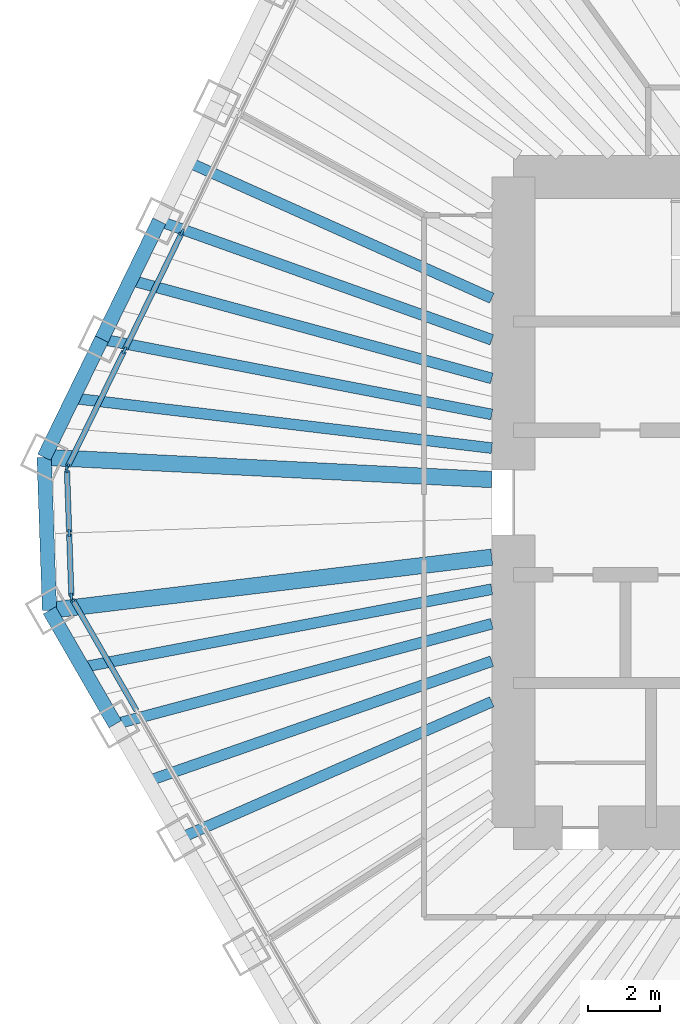
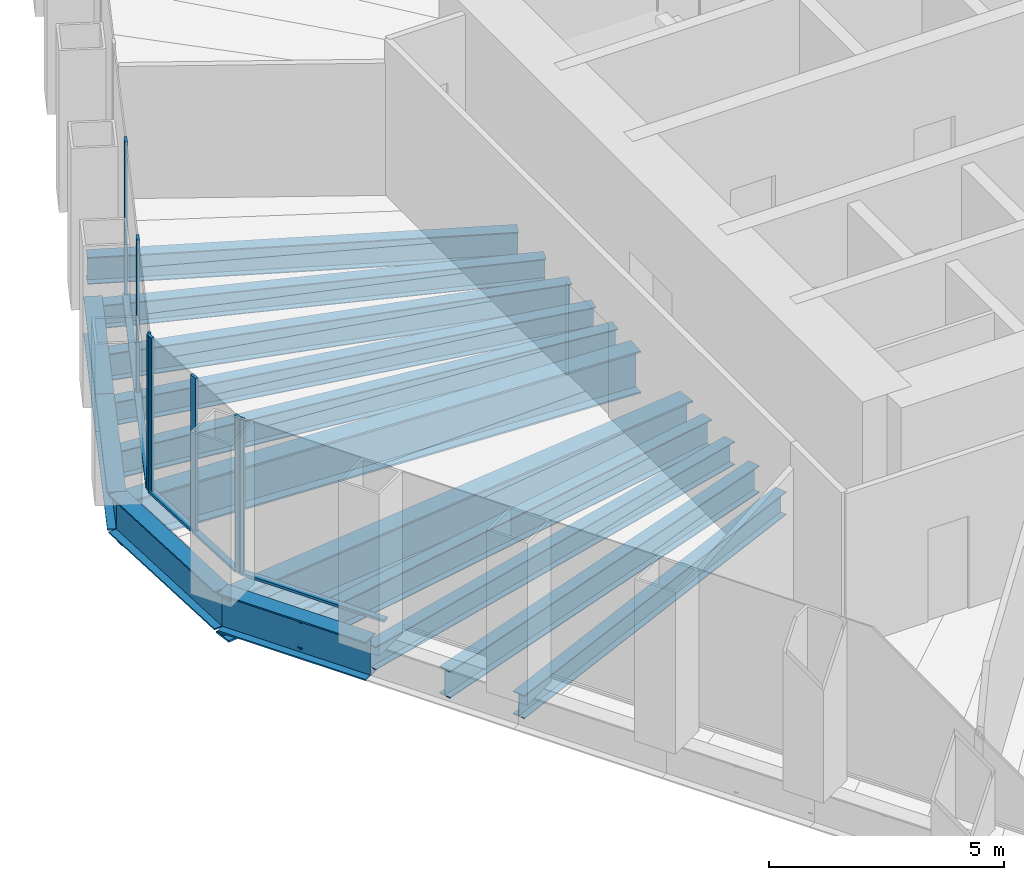
# One storey, part 3 of 13: 15 beams, 12 members, 3 elements without a shape of their own.
"""IFC4 building model written with IfcOpenShell, lengths in metres."""

from ifc_helpers import new_model, si_unit, direction, frame, origin, origin_2d, place, context, subcontext, project, spatial, rectangle, i_section, extrude, material, material_profile, profile_set, type_object, element, aggregate, save


model = new_model("IFC4")

# Units and contexts
model_context = context("Model", 3, precision=1e-05, world=origin(), true_north=direction((0.0, 1.0)))
body_context = subcontext(model_context, "Body", "Model", "MODEL_VIEW")
ifc_project = project(units=[si_unit("LENGTHUNIT", "METRE"), si_unit("AREAUNIT", "SQUARE_METRE"), si_unit("VOLUMEUNIT", "CUBIC_METRE"), si_unit("PLANEANGLEUNIT", "RADIAN"), si_unit("MASSUNIT", "GRAM", prefix="KILO")], contexts=[model_context])

# Site, building, storey
site_placement = place(None, origin())
site = spatial("IfcSite", under=ifc_project, at=site_placement, CompositionType="ELEMENT")
building_placement = place(site_placement, origin())
building = spatial("IfcBuilding", under=site, at=building_placement, Name="Qingtian Harvest Tower", CompositionType="ELEMENT")
storey_placement = place(building_placement, frame((0.0, 0.0, 230.800048828125)))
storey = spatial("IfcBuildingStorey", under=building, at=storey_placement, Name="L50", CompositionType="ELEMENT", Elevation=230.800048828125)

# Beams
ifc_material_1 = material(Name="Steel SM570MC", Category="steel")
ifc_material_profile_1 = material_profile(ifc_material_1, i_section(OverallWidth=0.449951171875, OverallDepth=1.10009765625, WebThickness=0.02197265625, FlangeThickness=0.044921875, at=origin_2d()), Name="H1100x450x22x45")
ifc_profile_set_1 = profile_set([ifc_material_profile_1], Name="Steel SM570MC")
beam_type_1 = type_object("IfcBeamType", Name="Corner floor beam FB8 H1100x450x22x45", PredefinedType="BEAM", material=ifc_profile_set_1)
beam_1_placement = place(storey_placement, frame((-24.833251953125, -2.987548828125, -0.719970703125), z_axis=(0.992841259631, 0.119441337798, 0.0), x_axis=(-0.119441337798, 0.992841259631, 0.0)))
element("IfcBeam", 1, at=beam_1_placement, inside=storey, type_object=beam_type_1, Name="Floor beam FB8 SW6", PredefinedType="BEAM", context=body_context, shape_type="SweptSolid", body=[
    extrude(i_section(OverallWidth=0.449951171875, OverallDepth=1.10009765625, WebThickness=0.02197265625, FlangeThickness=0.044921875, at=origin_2d()), origin(), (0.0, 0.0, 1.0), 12.3212890625),
])
beam_2_placement = place(storey_placement, frame((-24.981201171875, 1.248046875, -0.719970703125), z_axis=(0.998753959075, -0.049905202459, 0.0), x_axis=(0.049905202459, 0.998753959075, 0.0)))
element("IfcBeam", 2, at=beam_2_placement, inside=storey, type_object=beam_type_1, Name="Floor beam FB8 NW0", PredefinedType="BEAM", context=body_context, shape_type="SweptSolid", body=[
    extrude(i_section(OverallWidth=0.449951171875, OverallDepth=1.10009765625, WebThickness=0.02197265625, FlangeThickness=0.044921875, at=origin_2d()), origin(), (0.0, 0.0, 1.0), 12.396484375),
])
ifc_material_2 = material(Name="Steel SN490B", Category="steel")
ifc_material_profile_2 = material_profile(ifc_material_2, i_section(OverallWidth=0.300048828125, OverallDepth=0.60009765625, WebThickness=0.011962890625, FlangeThickness=0.02001953125, at=origin_2d()), Name="H600x300x12x20")
ifc_profile_set_2 = profile_set([ifc_material_profile_2], Name="Steel SN490B")
beam_type_2 = type_object("IfcBeamType", Name="Floor beam FB3 H600x300x12x20", PredefinedType="BEAM", material=ifc_profile_set_2)
beam_3_placement = place(storey_placement, frame((-21.19970703125, -9.281005859375, -0.469970703125), z_axis=(0.916057031544, 0.401048020765, 0.0), x_axis=(-0.401048020765, 0.916057031544, 0.0)))
element("IfcBeam", 3, at=beam_3_placement, inside=storey, type_object=beam_type_2, Name="Floor beam FB3 SW4", PredefinedType="BEAM", context=body_context, shape_type="SweptSolid", body=[
    extrude(i_section(OverallWidth=0.300048828125, OverallDepth=0.60009765625, WebThickness=0.011962890625, FlangeThickness=0.02001953125, at=origin_2d()), origin(), (0.0, 0.0, 1.0), 9.3876953125),
])
beam_4_placement = place(storey_placement, frame((-23.016357421875, -6.13427734375, -0.469970703125), z_axis=(0.966270640629, 0.257528734433, 0.0), x_axis=(-0.257528734433, 0.966270640629, 0.0)))
element("IfcBeam", 4, at=beam_4_placement, inside=storey, type_object=beam_type_2, Name="Floor beam FB3 SW5", PredefinedType="BEAM", context=body_context, shape_type="SweptSolid", body=[
    extrude(i_section(OverallWidth=0.300048828125, OverallDepth=0.60009765625, WebThickness=0.011962890625, FlangeThickness=0.02001953125, at=origin_2d()), origin(), (0.0, 0.0, 1.0), 10.77978515625),
])
beam_5_placement = place(storey_placement, frame((-23.388427734375, 4.513916015625, -0.469970703125), z_axis=(0.981878004162, -0.189514075845, 0.0), x_axis=(0.189514075845, 0.981878004162, 0.0)))
element("IfcBeam", 5, at=beam_5_placement, inside=storey, type_object=beam_type_2, Name="Floor beam FB3 NW1", PredefinedType="BEAM", context=body_context, shape_type="SweptSolid", body=[
    extrude(i_section(OverallWidth=0.300048828125, OverallDepth=0.60009765625, WebThickness=0.011962890625, FlangeThickness=0.02001953125, at=origin_2d()), origin(), (0.0, 0.0, 1.0), 10.987548828125),
])
beam_6_placement = place(storey_placement, frame((-21.79541015625, 7.779541015625, -0.469970703125), z_axis=(0.941800733255, -0.336171650857, 0.0), x_axis=(0.336171650857, 0.941800733255, 0.0)))
element("IfcBeam", 6, at=beam_6_placement, inside=storey, type_object=beam_type_2, Name="Floor beam FB3 NW2", PredefinedType="BEAM", context=body_context, shape_type="SweptSolid", body=[
    extrude(i_section(OverallWidth=0.300048828125, OverallDepth=0.60009765625, WebThickness=0.011962890625, FlangeThickness=0.02001953125, at=origin_2d()), origin(), (0.0, 0.0, 1.0), 9.763427734375),
])
ifc_material_3 = material(Name="Steel SN490B", Category="steel")
ifc_material_profile_3 = material_profile(ifc_material_3, i_section(OverallWidth=0.300048828125, OverallDepth=0.699951171875, WebThickness=0.012939453125, FlangeThickness=0.02392578125, at=origin_2d()), Name="H700x300x13x24")
ifc_profile_set_3 = profile_set([ifc_material_profile_3], Name="Steel SN490B")
beam_type_3 = type_object("IfcBeamType", Name="Floor joist J2 H700x300x13x24", PredefinedType="JOIST", material=ifc_profile_set_3)
beam_7_placement = place(storey_placement, frame((-22.108154296875, -7.707763671875, -0.52001953125), z_axis=(0.944256456951, 0.329210788868, 0.0), x_axis=(-0.329210788868, 0.944256456951, 0.0)))
element("IfcBeam", 7, at=beam_7_placement, inside=storey, type_object=beam_type_3, Name="Floor joist J2 SW4", PredefinedType="JOIST", context=body_context, shape_type="SweptSolid", body=[
    extrude(i_section(OverallWidth=0.300048828125, OverallDepth=0.699951171875, WebThickness=0.012939453125, FlangeThickness=0.02392578125, at=origin_2d()), origin(), (0.0, 0.0, 1.0), 10.0693359375),
])
beam_8_placement = place(storey_placement, frame((-23.9248046875, -4.56103515625, -0.52001953125), z_axis=(0.982309082743, 0.187266830912, 0.0), x_axis=(-0.187266830912, 0.982309082743, 0.0)))
element("IfcBeam", 8, at=beam_8_placement, inside=storey, type_object=beam_type_3, Name="Floor joist J2 SW5", PredefinedType="JOIST", context=body_context, shape_type="SweptSolid", body=[
    extrude(i_section(OverallWidth=0.300048828125, OverallDepth=0.699951171875, WebThickness=0.012939453125, FlangeThickness=0.02392578125, at=origin_2d()), origin(), (0.0, 0.0, 1.0), 11.528564453125),
])
beam_9_placement = place(storey_placement, frame((-24.184814453125, 2.880859375, -0.52001953125), z_axis=(0.992980727423, -0.11827626544, 0.0), x_axis=(0.11827626544, 0.992980727423, 0.0)))
element("IfcBeam", 9, at=beam_9_placement, inside=storey, type_object=beam_type_3, Name="Floor joist J2 NW0", PredefinedType="JOIST", context=body_context, shape_type="SweptSolid", body=[
    extrude(i_section(OverallWidth=0.300048828125, OverallDepth=0.699951171875, WebThickness=0.012939453125, FlangeThickness=0.02392578125, at=origin_2d()), origin(), (0.0, 0.0, 1.0), 11.66650390625),
])
beam_10_placement = place(storey_placement, frame((-22.591796875, 6.146728515625, -0.52001953125), z_axis=(0.964923062728, -0.26253282274, 0.0), x_axis=(0.26253282274, 0.964923062728, 0.0)))
element("IfcBeam", 10, at=beam_10_placement, inside=storey, type_object=beam_type_3, Name="Floor joist J2 NW1", PredefinedType="JOIST", context=body_context, shape_type="SweptSolid", body=[
    extrude(i_section(OverallWidth=0.300048828125, OverallDepth=0.699951171875, WebThickness=0.012939453125, FlangeThickness=0.02392578125, at=origin_2d()), origin(), (0.0, 0.0, 1.0), 10.35498046875),
])
beam_11_placement = place(storey_placement, frame((-20.9990234375, 9.41259765625, -0.52001953125), z_axis=(0.912515128421, -0.409042956671, 0.0), x_axis=(0.409042956671, 0.912515128421, 0.0)))
element("IfcBeam", 11, at=beam_11_placement, inside=storey, type_object=beam_type_3, Name="Floor joist J2 NW2", PredefinedType="JOIST", context=body_context, shape_type="SweptSolid", body=[
    extrude(i_section(OverallWidth=0.300048828125, OverallDepth=0.699951171875, WebThickness=0.012939453125, FlangeThickness=0.02392578125, at=origin_2d()), origin(), (0.0, 0.0, 1.0), 9.2041015625),
])

# Curtain wall, member
ifc_material_4 = material(Name="Bronze-anodised aluminium curtain wall", Category="aluminium")
curtain_wall_type = type_object("IfcCurtainWallType", Name="Curtain wall CW4 office", PredefinedType="USERDEFINED", material=ifc_material_4)
curtain_wall_1_placement = place(storey_placement, origin())
curtain_wall_1 = element("IfcCurtainWall", 12, at=curtain_wall_1_placement, inside=storey, type_object=curtain_wall_type, Name="Curtain wall CW4 L50 SW0-5", ObjectType="RECESSED CURTAIN WALL", PredefinedType="USERDEFINED")
ifc_material_5 = material(Name="Bronze-anodised aluminium mullion", Category="aluminium")
ifc_material_profile_4 = material_profile(ifc_material_5, rectangle(XDim=0.06494140625, YDim=0.199951171875, at=origin_2d()), Name="AL 65x200")
ifc_profile_set_4 = profile_set([ifc_material_profile_4], Name="Bronze-anodised aluminium mullion")
member_type_1 = type_object("IfcMemberType", Name="Mullion CWM 65x200", PredefinedType="MULLION", material=ifc_profile_set_4)
member_1_placement = place(storey_placement, frame((-24.210693359375, -2.665771484375, 0.0), z_axis=(0.0, 0.0, 1.0), x_axis=(-0.866025403784, -0.5, 0.0)))
member_1 = element("IfcMember", 13, at=member_1_placement, type_object=member_type_1, Name="CW4 mullion 7", PredefinedType="MULLION", context=body_context, shape_type="SweptSolid", body=[
    extrude(rectangle(XDim=0.06494140625, YDim=0.199951171875, at=origin_2d()), origin(), (0.0, 0.0, 1.0), 4.030029296875),
])

# Curtain wall, members
curtain_wall_2_placement = place(storey_placement, origin())
curtain_wall_2 = element("IfcCurtainWall", 14, at=curtain_wall_2_placement, inside=storey, type_object=curtain_wall_type, Name="Curtain wall CW4 L50 SWC", ObjectType="RECESSED CURTAIN WALL", PredefinedType="USERDEFINED")
member_2_placement = place(storey_placement, frame((-24.228271484375, -2.60498046875, 0.0), z_axis=(0.0, 0.0, 1.0), x_axis=(-0.999390827019, -0.034899496703, 0.0)))
member_2 = element("IfcMember", 15, at=member_2_placement, type_object=member_type_1, Name="CW4 mullion 1", PredefinedType="MULLION", context=body_context, shape_type="SweptSolid", body=[
    extrude(rectangle(XDim=0.06494140625, YDim=0.199951171875, at=origin_2d()), origin(), (0.0, 0.0, 1.0), 4.030029296875),
])
member_3_placement = place(storey_placement, frame((-24.28955078125, -0.84814453125, 0.0), z_axis=(0.0, 0.0, 1.0), x_axis=(-0.999390827019, -0.034899496703, 0.0)))
member_3 = element("IfcMember", 16, at=member_3_placement, type_object=member_type_1, Name="CW4 mullion 2", PredefinedType="MULLION", context=body_context, shape_type="SweptSolid", body=[
    extrude(rectangle(XDim=0.06494140625, YDim=0.199951171875, at=origin_2d()), origin(), (0.0, 0.0, 1.0), 4.030029296875),
])
member_4_placement = place(storey_placement, frame((-24.350830078125, 0.90869140625, 0.0), z_axis=(0.0, 0.0, 1.0), x_axis=(-0.999390827019, -0.034899496703, 0.0)))
member_4 = element("IfcMember", 17, at=member_4_placement, type_object=member_type_1, Name="CW4 mullion 3", PredefinedType="MULLION", context=body_context, shape_type="SweptSolid", body=[
    extrude(rectangle(XDim=0.06494140625, YDim=0.199951171875, at=origin_2d()), origin(), (0.0, 0.0, 1.0), 4.030029296875),
])

curtain_wall_3_placement = place(storey_placement, origin())
curtain_wall_3 = element("IfcCurtainWall", 18, at=curtain_wall_3_placement, inside=storey, type_object=curtain_wall_type, Name="Curtain wall CW4 L50 NW0-5", ObjectType="RECESSED CURTAIN WALL", PredefinedType="USERDEFINED")
member_5_placement = place(storey_placement, frame((-24.337646484375, 0.970458984375, 0.0), z_axis=(0.0, 0.0, 1.0), x_axis=(-0.898794046299, 0.438371146789, 0.0)))
member_5 = element("IfcMember", 19, at=member_5_placement, type_object=member_type_1, Name="CW4 mullion 1", PredefinedType="MULLION", context=body_context, shape_type="SweptSolid", body=[
    extrude(rectangle(XDim=0.06494140625, YDim=0.199951171875, at=origin_2d()), origin(), (0.0, 0.0, 1.0), 4.030029296875),
])
member_6_placement = place(storey_placement, frame((-22.759033203125, 4.20703125, 0.0), z_axis=(0.0, 0.0, 1.0), x_axis=(-0.898794046299, 0.438371146789, 0.0)))
member_6 = element("IfcMember", 20, at=member_6_placement, type_object=member_type_1, Name="CW4 mullion 2", PredefinedType="MULLION", context=body_context, shape_type="SweptSolid", body=[
    extrude(rectangle(XDim=0.06494140625, YDim=0.199951171875, at=origin_2d()), origin(), (0.0, 0.0, 1.0), 4.030029296875),
])
member_7_placement = place(storey_placement, frame((-21.166259765625, 7.47265625, 0.0), z_axis=(0.0, 0.0, 1.0), x_axis=(-0.898794046299, 0.438371146789, 0.0)))
member_7 = element("IfcMember", 21, at=member_7_placement, type_object=member_type_1, Name="CW4 mullion 3", PredefinedType="MULLION", context=body_context, shape_type="SweptSolid", body=[
    extrude(rectangle(XDim=0.06494140625, YDim=0.199951171875, at=origin_2d()), origin(), (0.0, 0.0, 1.0), 4.030029296875),
])

# Beams
ifc_material_6 = material(Name="Steel SN490B", Category="steel")
ifc_material_profile_5 = material_profile(ifc_material_6, i_section(OverallWidth=0.39990234375, OverallDepth=1.0, WebThickness=0.01904296875, FlangeThickness=0.035888671875, at=origin_2d()), Name="H1000x400x19x36")
ifc_profile_set_5 = profile_set([ifc_material_profile_5], Name="Steel SN490B")
beam_type_4 = type_object("IfcBeamType", Name="Spandrel beam SB3 H1000x400x19x36", PredefinedType="SPANDREL", material=ifc_profile_set_5)
beam_12_placement = place(storey_placement, frame((-23.016357421875, -6.13427734375, -0.5), z_axis=(-0.500026827678, 0.866009914263, 0.0), x_axis=(-0.866009914263, -0.500026827678, 0.0)))
element("IfcBeam", 22, at=beam_12_placement, inside=storey, type_object=beam_type_4, Name="Spandrel SB3 SW5", PredefinedType="SPANDREL", context=body_context, shape_type="SweptSolid", body=[
    extrude(i_section(OverallWidth=0.39990234375, OverallDepth=1.0, WebThickness=0.01904296875, FlangeThickness=0.035888671875, at=origin_2d()), origin(), (0.0, 0.0, 1.0), 3.633544921875),
])
beam_13_placement = place(storey_placement, frame((-24.833251953125, -2.987548828125, -0.5), z_axis=(-0.034908677553, 0.999390506375, 0.0), x_axis=(-0.999390506375, -0.034908677553, 0.0)))
element("IfcBeam", 23, at=beam_13_placement, inside=storey, type_object=beam_type_4, Name="Spandrel SB3 SWC", PredefinedType="SPANDREL", context=body_context, shape_type="SweptSolid", body=[
    extrude(i_section(OverallWidth=0.39990234375, OverallDepth=1.0, WebThickness=0.01904296875, FlangeThickness=0.035888671875, at=origin_2d()), origin(), (0.0, 0.0, 1.0), 4.23828125),
])
for number, where, z_axis, x_axis, name in (
    (24, (-24.981201171875, 1.248046875, -0.5), (0.438349498419, 0.898804604592, 0.0), (-0.898804604592, 0.438349498419, 0.0), "Spandrel SB3 NW0"),
    (25, (-23.388427734375, 4.513916015625, -0.5), (0.438430251153, 0.898765216769, 0.0), (-0.898765216769, 0.438430251153, 0.0), "Spandrel SB3 NW1"),
):
    element("IfcBeam", number, at=place(storey_placement, frame(where, z_axis=z_axis, x_axis=x_axis)), inside=storey, type_object=beam_type_4, Name=name, PredefinedType="SPANDREL", context=body_context, shape_type="SweptSolid", body=[
        extrude(i_section(OverallWidth=0.39990234375, OverallDepth=1.0, WebThickness=0.01904296875, FlangeThickness=0.035888671875, at=origin_2d()), origin(), (0.0, 0.0, 1.0), 3.633544921875),
    ])

# Member
ifc_material_7 = material(Name="Bronze-anodised aluminium transom", Category="aluminium")
ifc_material_profile_6 = material_profile(ifc_material_7, rectangle(XDim=0.14990234375, YDim=0.06494140625, at=origin_2d()), Name="AL 65x150")
ifc_profile_set_6 = profile_set([ifc_material_profile_6], Name="Bronze-anodised aluminium transom")
member_type_2 = type_object("IfcMemberType", Name="Transom CWT 65x150", PredefinedType="USERDEFINED", material=ifc_profile_set_6)
member_8_placement = place(storey_placement, frame((-22.426513671875, -5.756103515625, 0.032470703125), z_axis=(-0.500015305566, 0.866016566931, 0.0), x_axis=(-0.866016566931, -0.500015305566, 0.0)))
member_8 = element("IfcMember", 26, at=member_8_placement, type_object=member_type_2, Name="CW4 transom 6.1", ObjectType="TRANSOM", PredefinedType="USERDEFINED", context=body_context, shape_type="SweptSolid", body=[
    extrude(rectangle(XDim=0.14990234375, YDim=0.06494140625, at=origin_2d()), origin(), (0.0, 0.0, 1.0), 3.5361328125),
])

aggregate(curtain_wall_1, [member_1, member_8])

member_9_placement = place(storey_placement, frame((-24.229248046875, -2.572509765625, 0.032470703125), z_axis=(-0.034899362377, 0.99939083171, 0.0), x_axis=(-0.99939083171, -0.034899362377, 0.0)))
member_9 = element("IfcMember", 27, at=member_9_placement, type_object=member_type_2, Name="CW4 transom 1.1", ObjectType="TRANSOM", PredefinedType="USERDEFINED", context=body_context, shape_type="SweptSolid", body=[
    extrude(rectangle(XDim=0.14990234375, YDim=0.06494140625, at=origin_2d()), origin(), (0.0, 0.0, 1.0), 1.69287109375),
])

member_10_placement = place(storey_placement, frame((-24.29052734375, -0.815673828125, 0.032470703125), z_axis=(-0.034899362377, 0.99939083171, 0.0), x_axis=(-0.99939083171, -0.034899362377, 0.0)))
member_10 = element("IfcMember", 28, at=member_10_placement, type_object=member_type_2, Name="CW4 transom 2.1", ObjectType="TRANSOM", PredefinedType="USERDEFINED", context=body_context, shape_type="SweptSolid", body=[
    extrude(rectangle(XDim=0.14990234375, YDim=0.06494140625, at=origin_2d()), origin(), (0.0, 0.0, 1.0), 1.69287109375),
])

aggregate(curtain_wall_2, [member_2, member_3, member_4, member_9, member_10])

member_11_placement = place(storey_placement, frame((-24.323486328125, 0.99951171875, 0.032470703125), z_axis=(0.438354255898, 0.898802284341, 0.0), x_axis=(-0.898802284341, 0.438354255898, 0.0)))
member_11 = element("IfcMember", 29, at=member_11_placement, type_object=member_type_2, Name="CW4 transom 1.1", ObjectType="TRANSOM", PredefinedType="USERDEFINED", context=body_context, shape_type="SweptSolid", body=[
    extrude(rectangle(XDim=0.14990234375, YDim=0.06494140625, at=origin_2d()), origin(), (0.0, 0.0, 1.0), 3.5361328125),
])

member_12_placement = place(storey_placement, frame((-22.744873046875, 4.236083984375, 0.032470703125), z_axis=(0.438325233634, 0.89881643819, 0.0), x_axis=(-0.89881643819, 0.438325233634, 0.0)))
member_12 = element("IfcMember", 30, at=member_12_placement, type_object=member_type_2, Name="CW4 transom 2.1", ObjectType="TRANSOM", PredefinedType="USERDEFINED", context=body_context, shape_type="SweptSolid", body=[
    extrude(rectangle(XDim=0.14990234375, YDim=0.06494140625, at=origin_2d()), origin(), (0.0, 0.0, 1.0), 3.568603515625),
])

aggregate(curtain_wall_3, [member_5, member_6, member_7, member_11, member_12])

save(model, "model.ifc")
